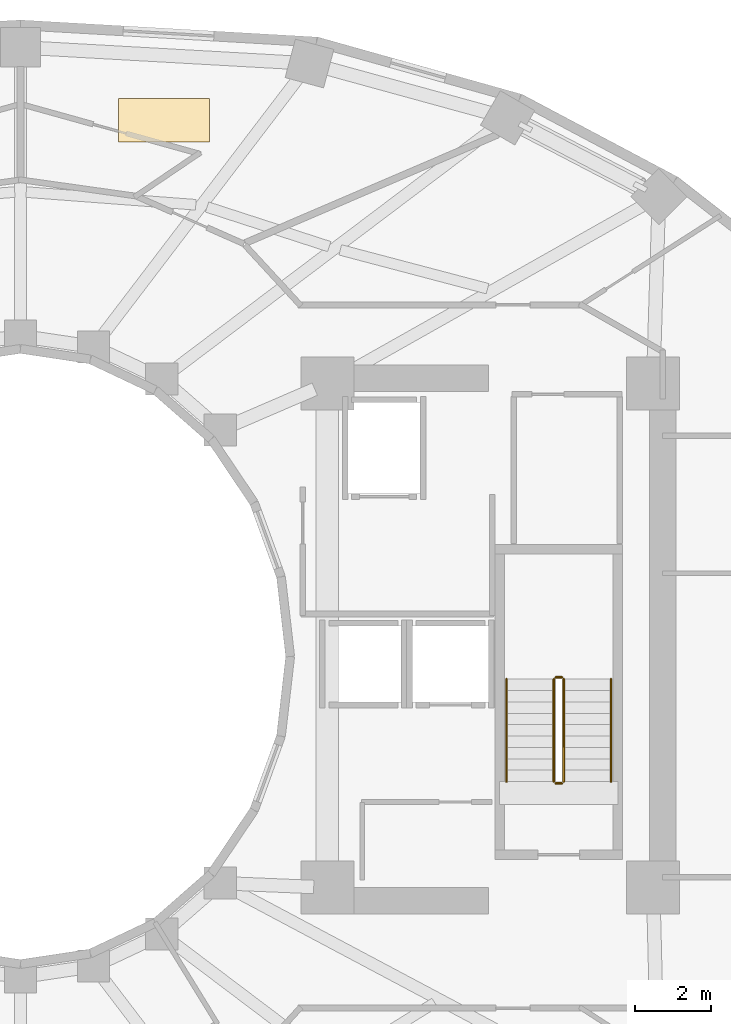
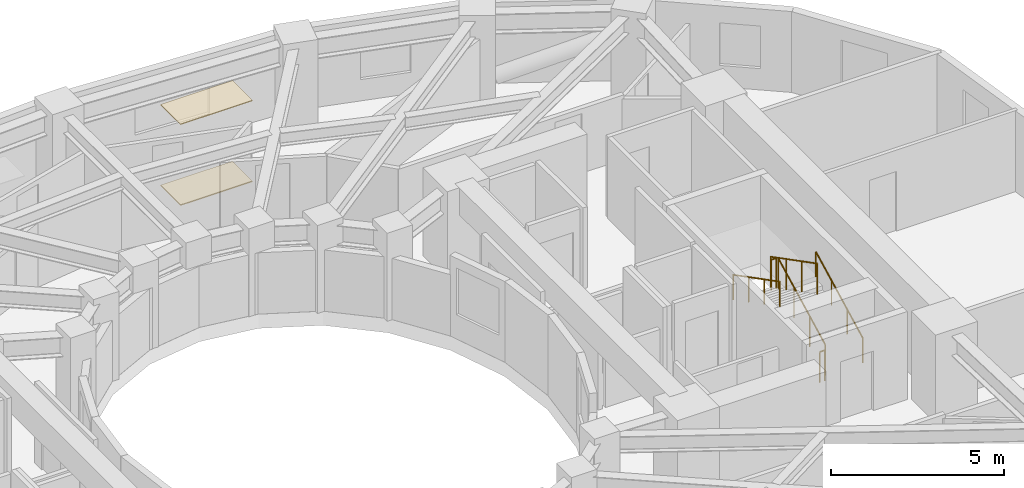
# One storey, part 9 of 9: 6 railings, 2 coverings.
"""IFC4 building model written with IfcOpenShell, lengths in metres."""

from ifc_helpers import new_model, si_unit, direction, frame, origin, origin_2d, place, context, subcontext, project, spatial, polyline, circle, outline, extrude, material, layer, layer_set, type_object, element, save


model = new_model("IFC4")

# Units and contexts
model_context = context("Model", 3, precision=1e-05, world=origin(), true_north=direction((0.0, 1.0)))
body_context = subcontext(model_context, "Body", "Model", "MODEL_VIEW")
ifc_project = project(units=[si_unit("LENGTHUNIT", "METRE"), si_unit("AREAUNIT", "SQUARE_METRE"), si_unit("VOLUMEUNIT", "CUBIC_METRE"), si_unit("PLANEANGLEUNIT", "RADIAN"), si_unit("MASSUNIT", "GRAM", prefix="KILO")], contexts=[model_context])

# Site, building, storey
site_placement = place(None, origin())
site = spatial("IfcSite", under=ifc_project, at=site_placement, CompositionType="ELEMENT")
building_placement = place(site_placement, origin())
building = spatial("IfcBuilding", under=site, at=building_placement, Name="Solvane Sanctuary Tower", CompositionType="ELEMENT")
storey_placement = place(building_placement, frame((0.0, 0.0, 122.800048828125)))
storey = spatial("IfcBuildingStorey", under=building, at=storey_placement, Name="L37", CompositionType="ELEMENT", Elevation=122.800048828125)

# Coverings
ifc_material_1 = material(Name="Acoustic Gypsum Partition Board")
ifc_layer_1 = layer(ifc_material_1, 0.02490234375, Name="Acoustic Gypsum Partition Board")
ifc_layer_set_1 = layer_set([ifc_layer_1], Name="Acoustic Gypsum Partition Board")
covering_type_1 = type_object("IfcCoveringType", Name="Covering CLG-ACOUST", PredefinedType="CEILING", material=ifc_layer_set_1)
covering_1_placement = place(storey_placement, frame((0.0, 0.0, 2.849853515625)))
element("IfcCovering", 1, at=covering_1_placement, inside=storey, type_object=covering_type_1, Name="L37 Unit Acoustic Ceiling Panel 1", PredefinedType="CEILING", context=body_context, shape_type="SweptSolid", body=[
    extrude(outline(polyline([(34.592041015625, 36.575927734375), (36.991943359375, 36.575927734375), (36.991943359375, 37.72607421875), (34.592041015625, 37.72607421875), (34.592041015625, 36.575927734375)])), origin(), (0.0, 0.0, 1.0), 0.030029296875),
])
ifc_material_2 = material(Name="Ceramic Tile Finish")
ifc_layer_2 = layer(ifc_material_2, 0.030029296875, Name="Ceramic Tile Finish")
ifc_layer_set_2 = layer_set([ifc_layer_2], Name="Ceramic Tile Finish")
covering_type_2 = type_object("IfcCoveringType", Name="Covering FLR-TERRAZZO", PredefinedType="FLOORING", material=ifc_layer_set_2)
covering_2_placement = place(storey_placement, origin())
element("IfcCovering", 2, at=covering_2_placement, inside=storey, type_object=covering_type_2, Name="L37 Unit Terrazzo Inlay 1", PredefinedType="FLOORING", context=body_context, shape_type="SweptSolid", body=[
    extrude(outline(polyline([(34.592041015625, 36.575927734375), (36.991943359375, 36.575927734375), (36.991943359375, 37.72607421875), (34.592041015625, 37.72607421875), (34.592041015625, 36.575927734375)])), origin(), (0.0, 0.0, 1.0), 0.034912109375),
])

# Railings
ifc_material_3 = material(Name="Architectural Stainless Steel 316", Category="steel")
railing_type_1 = type_object("IfcRailingType", Name="Railing GR-BALC-1150", PredefinedType="BALUSTRADE", material=ifc_material_3)
railing_1_placement = place(storey_placement, frame((46.340087890625, 19.699951171875, 0.155029296875)))
element("IfcRailing", 3, at=railing_1_placement, inside=storey, type_object=railing_type_1, Name="L37 ST-2 stair guard 1", PredefinedType="BALUSTRADE", context=body_context, shape_type="SweptSolid", body=[
    extrude(circle(Radius=0.02392578125, at=origin_2d()), frame((0.0, 0.0, 1.076171875), z_axis=(0.0, 0.888419900624, 0.459031676658), x_axis=(-1.0, 0.0, 0.0)), (0.0, 0.0, 1.0), 3.0390625),
    extrude(circle(Radius=0.02099609375, at=origin_2d()), origin(), (0.0, 0.0, 1.0), 1.052001953125),
    extrude(circle(Radius=0.02099609375, at=origin_2d()), frame((0.0, 0.89990234375, 0.465087890625)), (0.0, 0.0, 1.0), 1.052001953125),
    extrude(circle(Radius=0.02099609375, at=origin_2d()), frame((0.0, 1.800048828125, 0.929931640625)), (0.0, 0.0, 1.0), 1.052001953125),
    extrude(circle(Radius=0.02099609375, at=origin_2d()), frame((0.0, 2.699951171875, 1.39501953125)), (0.0, 0.0, 1.0), 1.052001953125),
])
railing_2_placement = place(storey_placement, frame((46.2900390625, 22.449951171875, 1.550048828125)))
element("IfcRailing", 4, at=railing_2_placement, inside=storey, type_object=railing_type_1, Name="L37 ST-2 stair guard 2", PredefinedType="BALUSTRADE", context=body_context, shape_type="SweptSolid", body=[
    extrude(circle(Radius=0.02392578125, at=origin_2d()), frame((0.0, 0.0, 1.076171875), z_axis=(-1.0, 0.0, 0.0), x_axis=(0.0, -1.0, 0.0)), (0.0, 0.0, 1.0), 0.16015625),
    extrude(circle(Radius=0.02099609375, at=origin_2d()), origin(), (0.0, 0.0, 1.0), 1.052001953125),
    extrude(circle(Radius=0.02099609375, at=origin_2d()), frame((-0.16015625, 0.0, 0.0)), (0.0, 0.0, 1.0), 1.052001953125),
])
railing_3_placement = place(storey_placement, frame((46.080078125, 22.39990234375, 1.704833984375)))
element("IfcRailing", 5, at=railing_3_placement, inside=storey, type_object=railing_type_1, Name="L37 ST-2 stair guard 3", PredefinedType="BALUSTRADE", context=body_context, shape_type="SweptSolid", body=[
    extrude(circle(Radius=0.02392578125, at=origin_2d()), frame((0.0, 0.0, 1.076171875), z_axis=(0.0, -0.888419900624, 0.459031676658), x_axis=(1.0, 0.0, 0.0)), (0.0, 0.0, 1.0), 3.0390625),
    extrude(circle(Radius=0.02099609375, at=origin_2d()), origin(), (0.0, 0.0, 1.0), 1.052001953125),
    extrude(circle(Radius=0.02099609375, at=origin_2d()), frame((0.0, -0.89990234375, 0.465087890625)), (0.0, 0.0, 1.0), 1.052001953125),
    extrude(circle(Radius=0.02099609375, at=origin_2d()), frame((0.0, -1.800048828125, 0.929931640625)), (0.0, 0.0, 1.0), 1.052001953125),
    extrude(circle(Radius=0.02099609375, at=origin_2d()), frame((0.0, -2.699951171875, 1.39501953125)), (0.0, 0.0, 1.0), 1.052001953125),
])
railing_4_placement = place(storey_placement, frame((46.2900390625, 19.64990234375, 0.0)))
element("IfcRailing", 6, at=railing_4_placement, inside=storey, type_object=railing_type_1, Name="L37 ST-2 stair guard 4", PredefinedType="BALUSTRADE", context=body_context, shape_type="SweptSolid", body=[
    extrude(circle(Radius=0.02392578125, at=origin_2d()), frame((0.0, 0.0, 1.076171875), z_axis=(-1.0, 0.0, 0.0), x_axis=(0.0, -1.0, 0.0)), (0.0, 0.0, 1.0), 0.16015625),
    extrude(circle(Radius=0.02099609375, at=origin_2d()), origin(), (0.0, 0.0, 1.0), 1.052001953125),
    extrude(circle(Radius=0.02099609375, at=origin_2d()), frame((-0.16015625, 0.0, 0.0)), (0.0, 0.0, 1.0), 1.052001953125),
])
railing_type_2 = type_object("IfcRailingType", Name="Railing HR-STAIR-920", PredefinedType="HANDRAIL", material=ifc_material_3)
railing_5_placement = place(storey_placement, frame((47.590087890625, 19.699951171875, 0.155029296875)))
element("IfcRailing", 7, at=railing_5_placement, inside=storey, type_object=railing_type_2, Name="L37 ST-2 stair handrail 1", PredefinedType="HANDRAIL", context=body_context, shape_type="SweptSolid", body=[
    extrude(circle(Radius=0.02392578125, at=origin_2d()), frame((0.0, 0.0, 0.8759765625), z_axis=(0.0, 0.888419900624, 0.459031676658), x_axis=(-1.0, 0.0, 0.0)), (0.0, 0.0, 1.0), 3.0390625),
    extrude(circle(Radius=0.02099609375, at=origin_2d()), origin(), (0.0, 0.0, 1.0), 0.851806640625),
    extrude(circle(Radius=0.02099609375, at=origin_2d()), frame((0.0, 0.89990234375, 0.465087890625)), (0.0, 0.0, 1.0), 0.851806640625),
    extrude(circle(Radius=0.02099609375, at=origin_2d()), frame((0.0, 1.800048828125, 0.929931640625)), (0.0, 0.0, 1.0), 0.851806640625),
    extrude(circle(Radius=0.02099609375, at=origin_2d()), frame((0.0, 2.699951171875, 1.39501953125)), (0.0, 0.0, 1.0), 0.851806640625),
])
railing_6_placement = place(storey_placement, frame((44.830078125, 22.39990234375, 1.704833984375)))
element("IfcRailing", 8, at=railing_6_placement, inside=storey, type_object=railing_type_2, Name="L37 ST-2 stair handrail 2", PredefinedType="HANDRAIL", context=body_context, shape_type="SweptSolid", body=[
    extrude(circle(Radius=0.02392578125, at=origin_2d()), frame((0.0, 0.0, 0.8759765625), z_axis=(0.0, -0.888419900624, 0.459031676658), x_axis=(1.0, 0.0, 0.0)), (0.0, 0.0, 1.0), 3.0390625),
    extrude(circle(Radius=0.02099609375, at=origin_2d()), origin(), (0.0, 0.0, 1.0), 0.851806640625),
    extrude(circle(Radius=0.02099609375, at=origin_2d()), frame((0.0, -0.89990234375, 0.465087890625)), (0.0, 0.0, 1.0), 0.851806640625),
    extrude(circle(Radius=0.02099609375, at=origin_2d()), frame((0.0, -1.800048828125, 0.929931640625)), (0.0, 0.0, 1.0), 0.851806640625),
    extrude(circle(Radius=0.02099609375, at=origin_2d()), frame((0.0, -2.699951171875, 1.39501953125)), (0.0, 0.0, 1.0), 0.851806640625),
])

save(model, "model.ifc")
